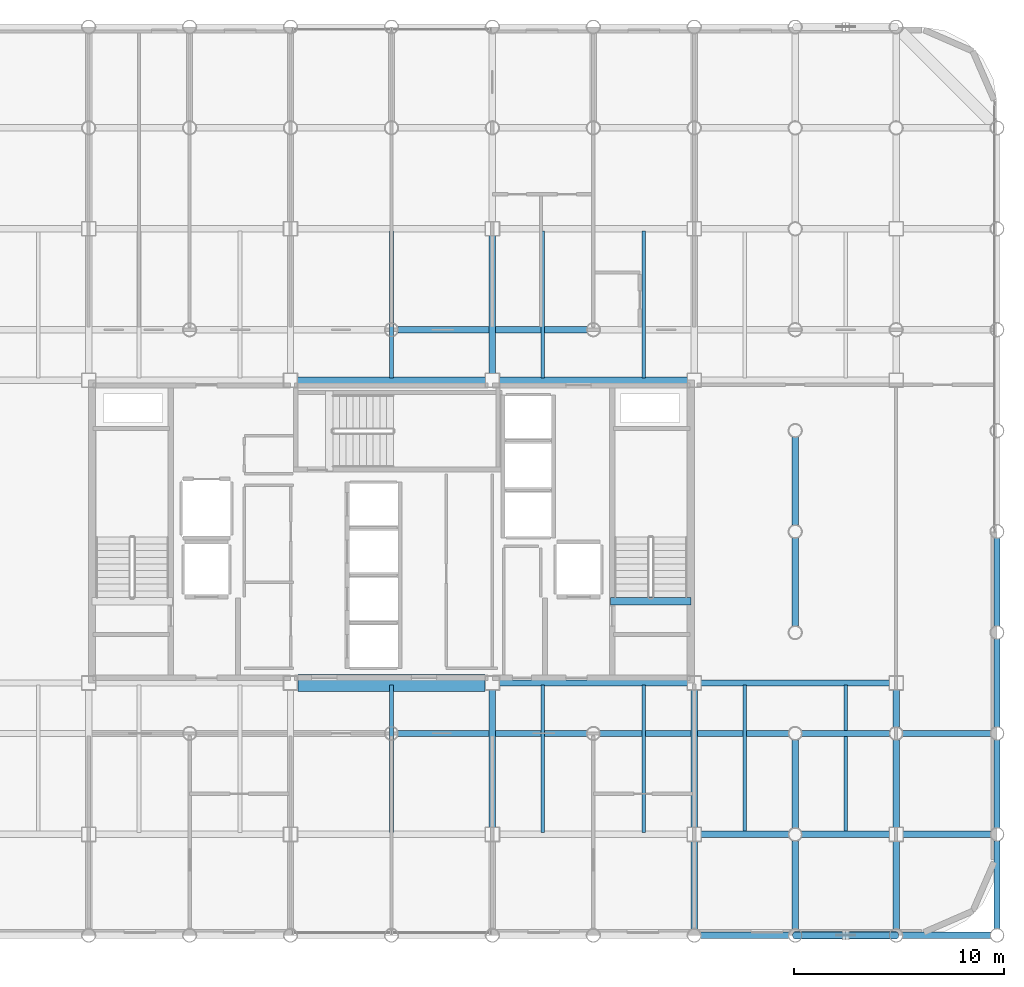
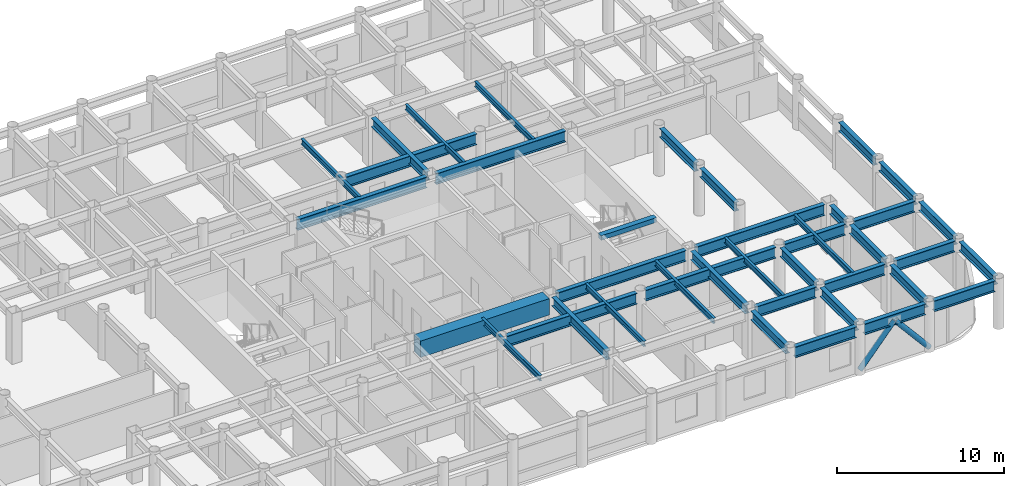
# One storey, part 7 of 20: 40 beams, 2 members.
"""IFC4 building model written with IfcOpenShell, lengths in metres."""

from ifc_helpers import new_model, si_unit, direction, frame, origin, origin_2d, place, context, subcontext, project, spatial, rectangle, hollow_circle, i_section, extrude, material, material_profile, profile_set, type_object, element, save


model = new_model("IFC4")

# Units and contexts
model_context = context("Model", 3, precision=1e-05, world=origin(), true_north=direction((0.0, 1.0)))
body_context = subcontext(model_context, "Body", "Model", "MODEL_VIEW")
ifc_project = project(units=[si_unit("LENGTHUNIT", "METRE"), si_unit("AREAUNIT", "SQUARE_METRE"), si_unit("VOLUMEUNIT", "CUBIC_METRE"), si_unit("PLANEANGLEUNIT", "RADIAN"), si_unit("MASSUNIT", "GRAM", prefix="KILO")], contexts=[model_context])

# Site, building, storey
site_placement = place(None, origin())
site = spatial("IfcSite", under=ifc_project, at=site_placement, CompositionType="ELEMENT")
building_placement = place(site_placement, origin())
building = spatial("IfcBuilding", under=site, at=building_placement, Name="Kallvorn Hotel Tower", CompositionType="ELEMENT")
storey_placement = place(building_placement, frame((0.0, 0.0, 143.300048828125)))
storey = spatial("IfcBuildingStorey", under=building, at=storey_placement, Name="L35", CompositionType="ELEMENT", Elevation=143.300048828125)

# Beams
ifc_material_1 = material(Name="Structural steel S355JR", Category="steel")
ifc_material_profile_1 = material_profile(ifc_material_1, i_section(OverallWidth=0.300048828125, OverallDepth=0.64990234375, WebThickness=0.01611328125, FlangeThickness=0.031005859375, at=origin_2d()), Name="HE 650 B")
ifc_profile_set_1 = profile_set([ifc_material_profile_1], Name="Structural steel S355JR")
beam_type_1 = type_object("IfcBeamType", Name="BM_HE650B", PredefinedType="BEAM", material=ifc_profile_set_1)
for number, where, z_axis, x_axis, name in (
    (1, (4.800048828125, -14.074951171875, 3.195068359375), (0.0, 1.0, 0.0), (-1.0, 0.0, 0.0), "L36 Primary Y-Girder 115"),
    (2, (4.800048828125, 7.52490234375, 3.195068359375), (0.0, 1.0, 0.0), (-1.0, 0.0, 0.0), "L36 Primary Y-Girder 116"),
):
    element("IfcBeam", number, at=place(storey_placement, frame(where, z_axis=z_axis, x_axis=x_axis)), inside=storey, type_object=beam_type_1, Name=name, PredefinedType="BEAM", context=body_context, shape_type="SweptSolid", body=[
        extrude(i_section(OverallWidth=0.300048828125, OverallDepth=0.64990234375, WebThickness=0.01611328125, FlangeThickness=0.031005859375, at=origin_2d()), origin(), (0.0, 0.0, 1.0), 6.550048828125),
    ])
beam_1_placement = place(storey_placement, frame((14.39990234375, -18.89501953125, 3.195068359375), z_axis=(0.0, 1.0, 0.0), x_axis=(-1.0, 0.0, 0.0)))
element("IfcBeam", 3, at=beam_1_placement, inside=storey, type_object=beam_type_1, Name="L36 Primary Y-Girder 122", PredefinedType="BEAM", context=body_context, shape_type="SweptSolid", body=[
    extrude(i_section(OverallWidth=0.300048828125, OverallDepth=0.64990234375, WebThickness=0.01611328125, FlangeThickness=0.031005859375, at=origin_2d()), origin(), (0.0, 0.0, 1.0), 4.169921875),
])
beam_2_placement = place(storey_placement, frame((14.39990234375, -14.074951171875, 3.195068359375), z_axis=(0.0, 1.0, 0.0), x_axis=(-1.0, 0.0, 0.0)))
element("IfcBeam", 4, at=beam_2_placement, inside=storey, type_object=beam_type_1, Name="L36 Primary Y-Girder 123", PredefinedType="BEAM", context=body_context, shape_type="SweptSolid", body=[
    extrude(i_section(OverallWidth=0.300048828125, OverallDepth=0.64990234375, WebThickness=0.01611328125, FlangeThickness=0.031005859375, at=origin_2d()), origin(), (0.0, 0.0, 1.0), 6.550048828125),
])
for number, where, z_axis, x_axis, name in (
    (5, (19.199951171875, -18.89501953125, 3.195068359375), (0.0, 1.0, 0.0), (-1.0, 0.0, 0.0), "L36 Primary Y-Girder 127"),
    (6, (19.199951171875, -14.094970703125, 3.195068359375), (0.0, 1.0, 0.0), (-1.0, 0.0, 0.0), "L36 Primary Y-Girder 128"),
):
    element("IfcBeam", number, at=place(storey_placement, frame(where, z_axis=z_axis, x_axis=x_axis)), inside=storey, type_object=beam_type_1, Name=name, PredefinedType="BEAM", context=body_context, shape_type="SweptSolid", body=[
        extrude(i_section(OverallWidth=0.300048828125, OverallDepth=0.64990234375, WebThickness=0.01611328125, FlangeThickness=0.031005859375, at=origin_2d()), origin(), (0.0, 0.0, 1.0), 4.18994140625),
    ])
for number, where, z_axis, x_axis, name in (
    (7, (19.199951171875, -4.4951171875, 3.195068359375), (0.0, 1.0, 0.0), (-1.0, 0.0, 0.0), "L36 Primary Y-Girder 130"),
    (8, (19.199951171875, 0.304931640625, 3.195068359375), (0.0, 1.0, 0.0), (-1.0, 0.0, 0.0), "L36 Primary Y-Girder 131"),
):
    element("IfcBeam", number, at=place(storey_placement, frame(where, z_axis=z_axis, x_axis=x_axis)), inside=storey, type_object=beam_type_1, Name=name, PredefinedType="BEAM", context=body_context, shape_type="SweptSolid", body=[
        extrude(i_section(OverallWidth=0.300048828125, OverallDepth=0.64990234375, WebThickness=0.01611328125, FlangeThickness=0.031005859375, at=origin_2d()), origin(), (0.0, 0.0, 1.0), 4.190185546875),
    ])
for number, where, z_axis, x_axis, name in (
    (9, (24.0, -18.89501953125, 3.195068359375), (0.0, 1.0, 0.0), (-1.0, 0.0, 0.0), "L36 Primary Y-Girder 136"),
    (10, (24.0, -14.074951171875, 3.195068359375), (0.0, 1.0, 0.0), (-1.0, 0.0, 0.0), "L36 Primary Y-Girder 137"),
):
    element("IfcBeam", number, at=place(storey_placement, frame(where, z_axis=z_axis, x_axis=x_axis)), inside=storey, type_object=beam_type_1, Name=name, PredefinedType="BEAM", context=body_context, shape_type="SweptSolid", body=[
        extrude(i_section(OverallWidth=0.300048828125, OverallDepth=0.64990234375, WebThickness=0.01611328125, FlangeThickness=0.031005859375, at=origin_2d()), origin(), (0.0, 0.0, 1.0), 4.169921875),
    ])
beam_3_placement = place(storey_placement, frame((24.0, -9.294921875, 3.195068359375), z_axis=(0.0, 1.0, 0.0), x_axis=(-1.0, 0.0, 0.0)))
element("IfcBeam", 11, at=beam_3_placement, inside=storey, type_object=beam_type_1, Name="L36 Primary Y-Girder 138", PredefinedType="BEAM", context=body_context, shape_type="SweptSolid", body=[
    extrude(i_section(OverallWidth=0.300048828125, OverallDepth=0.64990234375, WebThickness=0.01611328125, FlangeThickness=0.031005859375, at=origin_2d()), origin(), (0.0, 0.0, 1.0), 1.77001953125),
])
for number, where, z_axis, x_axis, name in (
    (12, (28.800048828125, -18.89501953125, 3.195068359375), (0.0, 1.0, 0.0), (-1.0, 0.0, 0.0), "L36 Primary Y-Girder 143"),
    (13, (28.800048828125, -14.094970703125, 3.195068359375), (0.0, 1.0, 0.0), (-1.0, 0.0, 0.0), "L36 Primary Y-Girder 144"),
    (14, (28.800048828125, -9.294921875, 3.195068359375), (0.0, 1.0, 0.0), (-1.0, 0.0, 0.0), "L36 Primary Y-Girder 145"),
):
    element("IfcBeam", number, at=place(storey_placement, frame(where, z_axis=z_axis, x_axis=x_axis)), inside=storey, type_object=beam_type_1, Name=name, PredefinedType="BEAM", context=body_context, shape_type="SweptSolid", body=[
        extrude(i_section(OverallWidth=0.300048828125, OverallDepth=0.64990234375, WebThickness=0.01611328125, FlangeThickness=0.031005859375, at=origin_2d()), origin(), (0.0, 0.0, 1.0), 4.18994140625),
    ])
beam_4_placement = place(storey_placement, frame((28.800048828125, -4.4951171875, 3.195068359375), z_axis=(0.0, 1.0, 0.0), x_axis=(-1.0, 0.0, 0.0)))
element("IfcBeam", 15, at=beam_4_placement, inside=storey, type_object=beam_type_1, Name="L36 Primary Y-Girder 146", PredefinedType="BEAM", context=body_context, shape_type="SweptSolid", body=[
    extrude(i_section(OverallWidth=0.300048828125, OverallDepth=0.64990234375, WebThickness=0.01611328125, FlangeThickness=0.031005859375, at=origin_2d()), origin(), (0.0, 0.0, 1.0), 4.190185546875),
])
ifc_material_2 = material(Name="Structural steel S355JR", Category="steel")
ifc_material_profile_2 = material_profile(ifc_material_2, i_section(OverallWidth=0.300048828125, OverallDepth=0.800048828125, WebThickness=0.017578125, FlangeThickness=0.032958984375, at=origin_2d()), Name="HE 800 B")
ifc_profile_set_2 = profile_set([ifc_material_profile_2], Name="Structural steel S355JR")
beam_type_2 = type_object("IfcBeamType", Name="BM_HE800B", PredefinedType="BEAM", material=ifc_profile_set_2)
beam_5_placement = place(storey_placement, frame((14.705078125, -19.199951171875, 3.119873046875), z_axis=(1.0, 0.0, 0.0), x_axis=(0.0, 1.0, 0.0)))
element("IfcBeam", 16, at=beam_5_placement, inside=storey, type_object=beam_type_2, Name="L36 Primary X-Girder 10", PredefinedType="BEAM", context=body_context, shape_type="SweptSolid", body=[
    extrude(i_section(OverallWidth=0.300048828125, OverallDepth=0.800048828125, WebThickness=0.017578125, FlangeThickness=0.032958984375, at=origin_2d()), origin(), (0.0, 0.0, 1.0), 4.18994140625),
])
for number, where, z_axis, x_axis, name in (
    (17, (19.5048828125, -19.199951171875, 3.119873046875), (1.0, 0.0, 0.0), (0.0, 1.0, 0.0), "L36 Primary X-Girder 11"),
    (18, (24.304931640625, -19.199951171875, 3.119873046875), (1.0, 0.0, 0.0), (0.0, 1.0, 0.0), "L36 Primary X-Girder 12"),
):
    element("IfcBeam", number, at=place(storey_placement, frame(where, z_axis=z_axis, x_axis=x_axis)), inside=storey, type_object=beam_type_2, Name=name, PredefinedType="BEAM", context=body_context, shape_type="SweptSolid", body=[
        extrude(i_section(OverallWidth=0.300048828125, OverallDepth=0.800048828125, WebThickness=0.017578125, FlangeThickness=0.032958984375, at=origin_2d()), origin(), (0.0, 0.0, 1.0), 4.190185546875),
    ])
beam_6_placement = place(storey_placement, frame((14.72509765625, -14.39990234375, 3.119873046875), z_axis=(1.0, 0.0, 0.0), x_axis=(0.0, 1.0, 0.0)))
element("IfcBeam", 19, at=beam_6_placement, inside=storey, type_object=beam_type_2, Name="L36 Primary X-Girder 20", PredefinedType="BEAM", context=body_context, shape_type="SweptSolid", body=[
    extrude(i_section(OverallWidth=0.300048828125, OverallDepth=0.800048828125, WebThickness=0.017578125, FlangeThickness=0.032958984375, at=origin_2d()), origin(), (0.0, 0.0, 1.0), 4.169921875),
])
for number, where, z_axis, x_axis, name in (
    (20, (19.5048828125, -14.39990234375, 3.119873046875), (1.0, 0.0, 0.0), (0.0, 1.0, 0.0), "L36 Primary X-Girder 21"),
    (21, (24.324951171875, -14.39990234375, 3.119873046875), (1.0, 0.0, 0.0), (0.0, 1.0, 0.0), "L36 Primary X-Girder 22"),
):
    element("IfcBeam", number, at=place(storey_placement, frame(where, z_axis=z_axis, x_axis=x_axis)), inside=storey, type_object=beam_type_2, Name=name, PredefinedType="BEAM", context=body_context, shape_type="SweptSolid", body=[
        extrude(i_section(OverallWidth=0.300048828125, OverallDepth=0.800048828125, WebThickness=0.017578125, FlangeThickness=0.032958984375, at=origin_2d()), origin(), (0.0, 0.0, 1.0), 4.170166015625),
    ])
for number, where, z_axis, x_axis, name in (
    (22, (0.304931640625, -9.60009765625, 3.119873046875), (1.0, 0.0, 0.0), (0.0, 1.0, 0.0), "L36 Primary X-Girder 28"),
    (23, (9.905029296875, -9.60009765625, 3.119873046875), (1.0, 0.0, 0.0), (0.0, 1.0, 0.0), "L36 Primary X-Girder 29"),
):
    element("IfcBeam", number, at=place(storey_placement, frame(where, z_axis=z_axis, x_axis=x_axis)), inside=storey, type_object=beam_type_2, Name=name, PredefinedType="BEAM", context=body_context, shape_type="SweptSolid", body=[
        extrude(i_section(OverallWidth=0.300048828125, OverallDepth=0.800048828125, WebThickness=0.017578125, FlangeThickness=0.032958984375, at=origin_2d()), origin(), (0.0, 0.0, 1.0), 8.989990234375),
    ])
for number, where, z_axis, x_axis, name in (
    (24, (19.5048828125, -9.60009765625, 3.119873046875), (1.0, 0.0, 0.0), (0.0, 1.0, 0.0), "L36 Primary X-Girder 30"),
    (25, (24.304931640625, -9.60009765625, 3.119873046875), (1.0, 0.0, 0.0), (0.0, 1.0, 0.0), "L36 Primary X-Girder 31"),
):
    element("IfcBeam", number, at=place(storey_placement, frame(where, z_axis=z_axis, x_axis=x_axis)), inside=storey, type_object=beam_type_2, Name=name, PredefinedType="BEAM", context=body_context, shape_type="SweptSolid", body=[
        extrude(i_section(OverallWidth=0.300048828125, OverallDepth=0.800048828125, WebThickness=0.017578125, FlangeThickness=0.032958984375, at=origin_2d()), origin(), (0.0, 0.0, 1.0), 4.190185546875),
    ])
for number, where, z_axis, x_axis, name in (
    (26, (5.125, -7.199951171875, 3.119873046875), (1.0, 0.0, 0.0), (0.0, 1.0, 0.0), "L36 Primary X-Girder 34"),
    (27, (14.72509765625, -7.199951171875, 3.119873046875), (1.0, 0.0, 0.0), (0.0, 1.0, 0.0), "L36 Primary X-Girder 35"),
):
    element("IfcBeam", number, at=place(storey_placement, frame(where, z_axis=z_axis, x_axis=x_axis)), inside=storey, type_object=beam_type_2, Name=name, PredefinedType="BEAM", context=body_context, shape_type="SweptSolid", body=[
        extrude(i_section(OverallWidth=0.300048828125, OverallDepth=0.800048828125, WebThickness=0.017578125, FlangeThickness=0.032958984375, at=origin_2d()), origin(), (0.0, 0.0, 1.0), 8.949951171875),
    ])
beam_7_placement = place(storey_placement, frame((-4.47509765625, 7.199951171875, 3.119873046875), z_axis=(1.0, 0.0, 0.0), x_axis=(0.0, 1.0, 0.0)))
element("IfcBeam", 28, at=beam_7_placement, inside=storey, type_object=beam_type_2, Name="L36 Primary X-Girder 38", PredefinedType="BEAM", context=body_context, shape_type="SweptSolid", body=[
    extrude(i_section(OverallWidth=0.300048828125, OverallDepth=0.800048828125, WebThickness=0.017578125, FlangeThickness=0.032958984375, at=origin_2d()), origin(), (0.0, 0.0, 1.0), 8.9501953125),
])
beam_8_placement = place(storey_placement, frame((5.125, 7.199951171875, 3.119873046875), z_axis=(1.0, 0.0, 0.0), x_axis=(0.0, 1.0, 0.0)))
element("IfcBeam", 29, at=beam_8_placement, inside=storey, type_object=beam_type_2, Name="L36 Primary X-Girder 39", PredefinedType="BEAM", context=body_context, shape_type="SweptSolid", body=[
    extrude(i_section(OverallWidth=0.300048828125, OverallDepth=0.800048828125, WebThickness=0.017578125, FlangeThickness=0.032958984375, at=origin_2d()), origin(), (0.0, 0.0, 1.0), 8.949951171875),
])
beam_9_placement = place(storey_placement, frame((0.304931640625, 9.60009765625, 3.119873046875), z_axis=(1.0, 0.0, 0.0), x_axis=(0.0, 1.0, 0.0)))
element("IfcBeam", 30, at=beam_9_placement, inside=storey, type_object=beam_type_2, Name="L36 Primary X-Girder 46", PredefinedType="BEAM", context=body_context, shape_type="SweptSolid", body=[
    extrude(i_section(OverallWidth=0.300048828125, OverallDepth=0.800048828125, WebThickness=0.017578125, FlangeThickness=0.032958984375, at=origin_2d()), origin(), (0.0, 0.0, 1.0), 8.989990234375),
])
ifc_material_3 = material(Name="Structural steel S355JR", Category="steel")
ifc_material_profile_3 = material_profile(ifc_material_3, i_section(OverallWidth=0.179931640625, OverallDepth=0.39990234375, WebThickness=0.008544921875, FlangeThickness=0.013427734375, at=origin_2d()), Name="IPE 400")
ifc_profile_set_3 = profile_set([ifc_material_profile_3], Name="Structural steel S355JR")
beam_type_3 = type_object("IfcBeamType", Name="BM_IPE400", PredefinedType="JOIST", material=ifc_profile_set_3)
for number, where, z_axis, x_axis, name in (
    (31, (0.0, -14.300048828125, 3.320068359375), (0.0, 1.0, 0.0), (-1.0, 0.0, 0.0), "L36 Secondary Composite Joist 200"),
    (32, (0.0, 7.300048828125, 3.320068359375), (0.0, 1.0, 0.0), (-1.0, 0.0, 0.0), "L36 Secondary Composite Joist 201"),
    (33, (7.199951171875, -14.300048828125, 3.320068359375), (0.0, 1.0, 0.0), (-1.0, 0.0, 0.0), "L36 Secondary Composite Joist 202"),
    (34, (7.199951171875, 7.300048828125, 3.320068359375), (0.0, 1.0, 0.0), (-1.0, 0.0, 0.0), "L36 Secondary Composite Joist 203"),
    (35, (12.0, -14.300048828125, 3.320068359375), (0.0, 1.0, 0.0), (-1.0, 0.0, 0.0), "L36 Secondary Composite Joist 204"),
    (36, (12.0, 7.300048828125, 3.320068359375), (0.0, 1.0, 0.0), (-1.0, 0.0, 0.0), "L36 Secondary Composite Joist 205"),
    (37, (16.800048828125, -14.300048828125, 3.320068359375), (0.0, 1.0, 0.0), (-1.0, 0.0, 0.0), "L36 Secondary Composite Joist 206"),
    (38, (21.60009765625, -14.300048828125, 3.320068359375), (0.0, 1.0, 0.0), (-1.0, 0.0, 0.0), "L36 Secondary Composite Joist 208"),
):
    element("IfcBeam", number, at=place(storey_placement, frame(where, z_axis=z_axis, x_axis=x_axis)), inside=storey, type_object=beam_type_3, Name=name, PredefinedType="JOIST", context=body_context, shape_type="SweptSolid", body=[
        extrude(i_section(OverallWidth=0.179931640625, OverallDepth=0.39990234375, WebThickness=0.008544921875, FlangeThickness=0.013427734375, at=origin_2d()), origin(), (0.0, 0.0, 1.0), 7.0),
    ])
ifc_material_4 = material(Name="Concrete C50/60", Category="concrete")
ifc_material_profile_4 = material_profile(ifc_material_4, rectangle(XDim=0.360107421875, YDim=0.340087890625, at=origin_2d()), Name="RC 360x340")
ifc_profile_set_4 = profile_set([ifc_material_profile_4], Name="Concrete C50/60")
beam_type_4 = type_object("IfcBeamType", Name="BM_RC_400x360", PredefinedType="BEAM", material=ifc_profile_set_4)
beam_10_placement = place(storey_placement, frame((14.239990234375, -3.31005859375, 3.349853515625), z_axis=(-1.0, 0.0, 0.0), x_axis=(0.0, -1.0, 0.0)))
element("IfcBeam", 39, at=beam_10_placement, inside=storey, type_object=beam_type_4, Name="L36 Stair ST2 Arrival Trimmer Beam", PredefinedType="BEAM", context=body_context, shape_type="SweptSolid", body=[
    extrude(rectangle(XDim=0.360107421875, YDim=0.340087890625, at=origin_2d()), origin(), (0.0, 0.0, 1.0), 3.820068359375),
])
ifc_material_5 = material(Name="Concrete C50/60", Category="concrete")
ifc_material_profile_5 = material_profile(ifc_material_5, rectangle(XDim=0.800048828125, YDim=1.199951171875, at=origin_2d()), Name="RC 800x1200")
ifc_profile_set_5 = profile_set([ifc_material_profile_5], Name="Concrete C50/60")
beam_type_5 = type_object("IfcBeamType", Name="BM_RC_800x1200", PredefinedType="T_BEAM", material=ifc_profile_set_5)
beam_11_placement = place(storey_placement, frame((-4.449951171875, -7.199951171875, 2.919921875), z_axis=(1.0, 0.0, 0.0), x_axis=(0.0, 1.0, 0.0)))
element("IfcBeam", 40, at=beam_11_placement, inside=storey, type_object=beam_type_5, Name="L35 Core Coupling Beam South", PredefinedType="T_BEAM", context=body_context, shape_type="SweptSolid", body=[
    extrude(rectangle(XDim=0.800048828125, YDim=1.199951171875, at=origin_2d()), origin(), (0.0, 0.0, 1.0), 8.89990234375),
])

# Members
ifc_material_6 = material(Name="Structural steel S355J2H", Category="steel")
ifc_material_profile_6 = material_profile(ifc_material_6, hollow_circle(Radius=0.177734375, WallThickness=0.01416015625, at=origin_2d()), Name="CHS 355.6x14.2")
ifc_profile_set_6 = profile_set([ifc_material_profile_6], Name="Structural steel S355J2H")
member_type = type_object("IfcMemberType", Name="MBR_EXO_CHS355", PredefinedType="BRACE", material=ifc_profile_set_6)
for number, where, z_axis, x_axis, name in (
    (41, (19.212890625, -19.199951171875, 0.1953125), (0.646833296797, 0.0, 0.762631422218), (0.0, 1.0, 0.0), "L35 Exoskeleton K-Brace S2A"),
    (42, (23.987060546875, -19.199951171875, 0.1953125), (-0.646833296797, 0.0, 0.762631422218), (0.0, -1.0, 0.0), "L35 Exoskeleton K-Brace S2B"),
):
    element("IfcMember", number, at=place(storey_placement, frame(where, z_axis=z_axis, x_axis=x_axis)), inside=storey, type_object=member_type, Name=name, PredefinedType="BRACE", context=body_context, shape_type="SweptSolid", body=[
        extrude(hollow_circle(Radius=0.177734375, WallThickness=0.01416015625, at=origin_2d()), origin(), (0.0, 0.0, 1.0), 3.670654296875),
    ])

save(model, "model.ifc")
